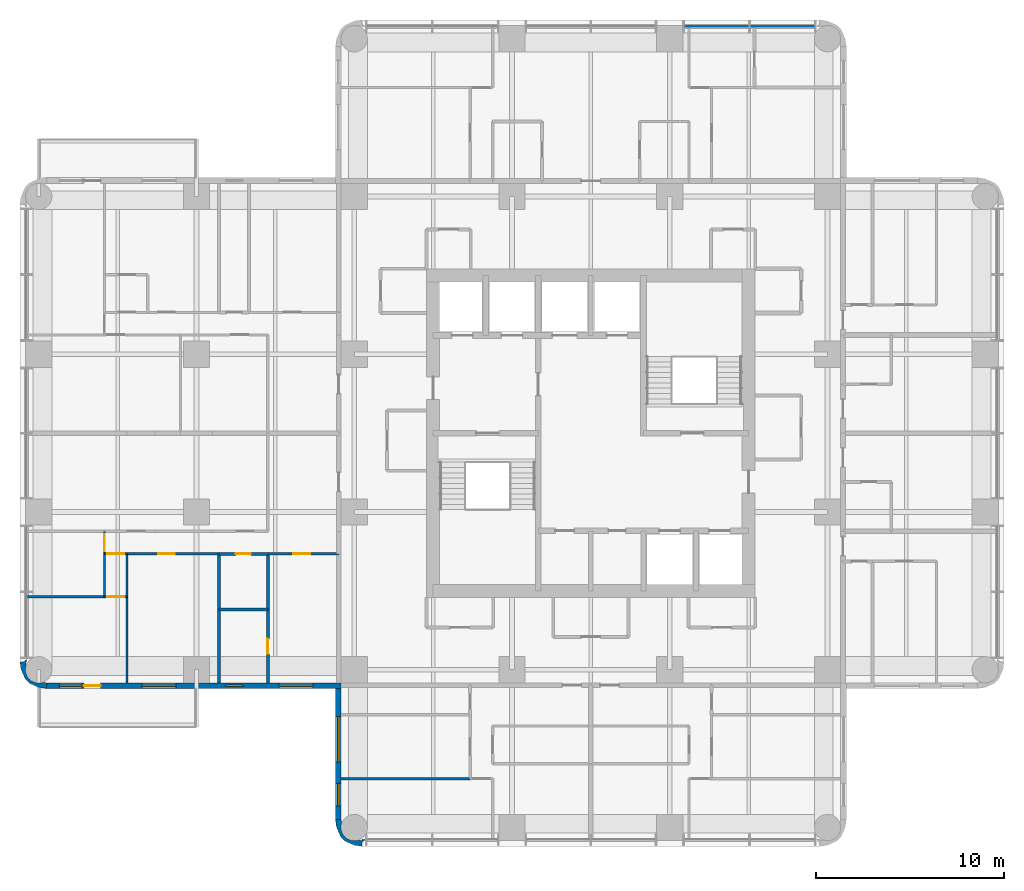
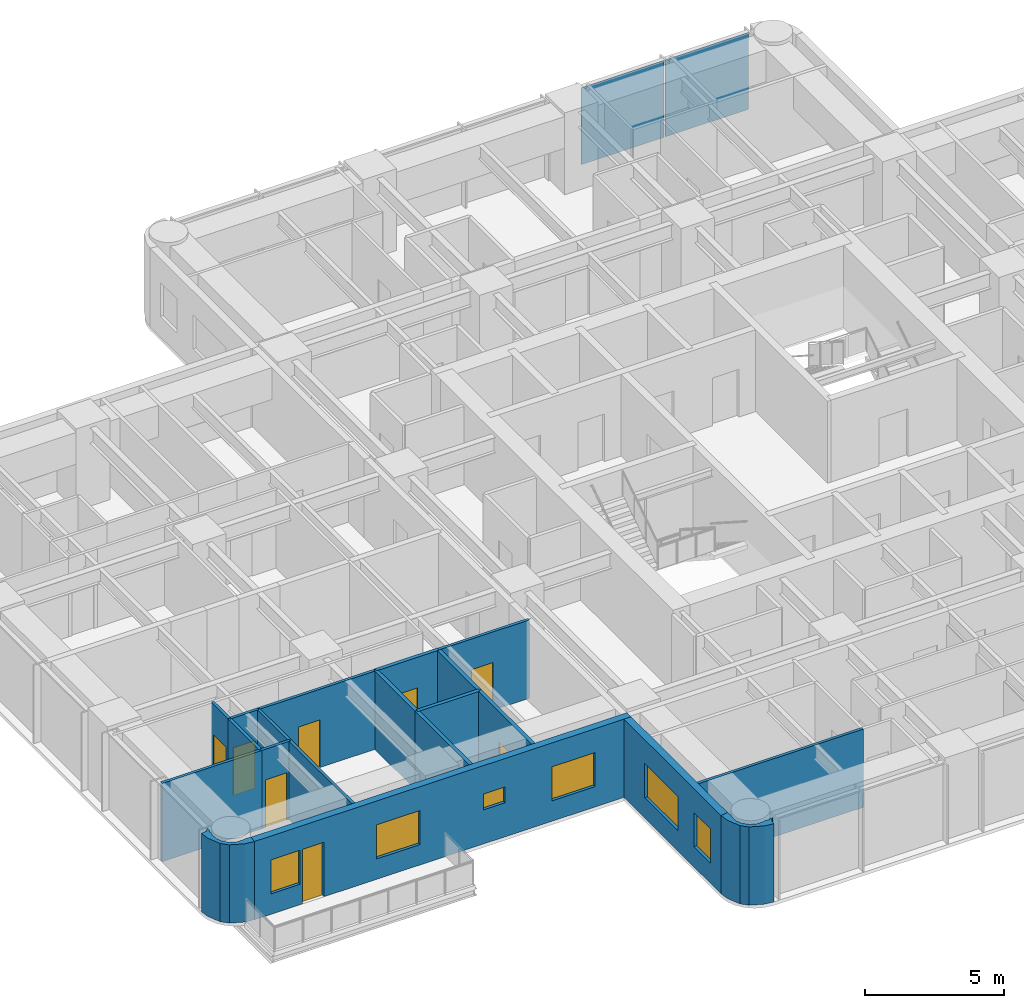
# One storey, part 4 of 11: 20 walls, 8 doors, 6 windows, 2 plates, 14 openings, 1 element without a shape of its own.
"""IFC4 building model written with IfcOpenShell, lengths in metres."""

import ifcopenshell
import ifcopenshell.guid

model = None  # the IFC model being written
_history = None  # IfcOwnerHistory: only IFC2X3 demands one
_inside = {}  # id of a spatial element -> (the spatial element, [elements in it])
_under = {}  # id of a project, library or spatial element -> (it, [spatial elements below it])
_declared = {}  # id of a project -> (the project, [libraries it declares])
_typed = {}  # id of a type object -> (the type object, [elements of that type])
_made_of = {}  # id of a material, layer set ... -> (it, [elements and type objects made of it])


def new_model(schema):
    """Start an empty IFC model of exactly this schema.

    Asked for "IFC4X3", IfcOpenShell would pick the latest addendum, in which some entities
    have other attributes; the version numbers below select the first issue.
    IFC2X3 requires an IfcOwnerHistory on every rooted entity: one is made here for all.
    """
    global model, _history
    if schema == "IFC4X3":
        model = ifcopenshell.file(schema_version=(4, 3, 0, 0))
    else:
        model = ifcopenshell.file(schema=schema)
    _inside.clear()
    _under.clear()
    _declared.clear()
    _typed.clear()
    _made_of.clear()
    _history = None
    if model.schema == "IFC2X3":
        org = make("IfcOrganization", Name="unknown")
        user = make(
            "IfcPersonAndOrganization",
            ThePerson=make("IfcPerson", FamilyName="unknown"),
            TheOrganization=org,
        )
        app = make(
            "IfcApplication",
            ApplicationDeveloper=org,
            Version="unknown",
            ApplicationFullName="unknown",
            ApplicationIdentifier="unknown",
        )
        _history = make(
            "IfcOwnerHistory",
            OwningUser=user,
            OwningApplication=app,
            ChangeAction="ADDED",
            CreationDate=0,
        )
    return model


def make(cls, **values):
    """One entity of the class cls with the attributes given. An attribute that is None is left unset."""
    return model.create_entity(
        cls, **{name: value for name, value in values.items() if value is not None}
    )


def rooted(cls, **values):
    """An entity with a GlobalId (a new one), such as an element, a storey or a relation."""
    return make(cls, GlobalId=ifcopenshell.guid.new(), OwnerHistory=_history, **values)


def si_unit(unit_type, name, prefix=None):
    """IfcSIUnit, for example si_unit("LENGTHUNIT", "METRE", prefix="MILLI")."""
    return make("IfcSIUnit", UnitType=unit_type, Prefix=prefix, Name=name)


def assignment(units):
    """IfcUnitAssignment: the units of a project."""
    return None if units is None else make("IfcUnitAssignment", Units=units)


def point(xyz):
    """IfcCartesianPoint."""
    return None if xyz is None else make("IfcCartesianPoint", Coordinates=xyz)


def direction(xyz):
    """IfcDirection."""
    return None if xyz is None else make("IfcDirection", DirectionRatios=xyz)


def frame(location, z_axis=None, x_axis=None):
    """IfcAxis2Placement3D, a coordinate frame: its origin and axes. An axis left out is left unset."""
    return make(
        "IfcAxis2Placement3D",
        Location=point(location),
        Axis=direction(z_axis),
        RefDirection=direction(x_axis),
    )


def frame_2d(location, x_axis=None):
    """IfcAxis2Placement2D, a coordinate frame in the plane: its origin and x axis."""
    return make(
        "IfcAxis2Placement2D", Location=point(location), RefDirection=direction(x_axis)
    )


def origin():
    """The frame at (0, 0, 0) with its axes left unset."""
    return frame((0.0, 0.0, 0.0))


def origin_2d():
    """The frame at (0, 0) in the plane with its x axis left unset."""
    return frame_2d((0.0, 0.0))


def place(relative_to, where):
    """IfcLocalPlacement: puts the frame where relative to a parent placement (None: the world)."""
    return make(
        "IfcLocalPlacement", PlacementRelTo=relative_to, RelativePlacement=where
    )


def context(
    kind, dimensions, precision=None, world=None, true_north=None, identifier=None
):
    """IfcGeometricRepresentationContext, for example the 3D "Model" context."""
    return make(
        "IfcGeometricRepresentationContext",
        ContextIdentifier=identifier,
        ContextType=kind,
        CoordinateSpaceDimension=dimensions,
        Precision=precision,
        WorldCoordinateSystem=world,
        TrueNorth=true_north,
    )


def subcontext(parent, identifier, kind, view, scale=None):
    """IfcGeometricRepresentationSubContext, for example "Body" below "Model"."""
    return make(
        "IfcGeometricRepresentationSubContext",
        ContextIdentifier=identifier,
        ContextType=kind,
        ParentContext=parent,
        TargetScale=scale,
        TargetView=view,
    )


def project(units=None, contexts=None):
    """IfcProject with its units and contexts."""
    return rooted(
        "IfcProject",
        Name="project",
        RepresentationContexts=contexts,
        UnitsInContext=assignment(units),
    )


def spatial(cls, under=None, at=None, **own):
    """A site, building, storey or space (cls), placed at a placement, below another one or the project."""
    s = rooted(cls, ObjectPlacement=at, **own)
    if under is not None:
        _under.setdefault(under.id(), (under, []))[1].append(s)
    return s


def polyline(points):
    """IfcPolyline through the points."""
    return make("IfcPolyline", Points=[point(p) for p in points])


def profile(cls, at=None, kind="AREA", **sizes):
    """A parametric profile (cls). Its sizes go by their IFC names, for example OverallWidth=200.0."""
    return make(cls, ProfileType=kind, Position=at, **sizes)


def rectangle(**sizes):
    """IfcRectangleProfileDef."""
    return profile("IfcRectangleProfileDef", **sizes)


def outline(outer, holes=None, kind="AREA"):
    """IfcArbitraryClosedProfileDef: a profile drawn as a closed curve; with holes, ...WithVoids."""
    if holes is None:
        return make("IfcArbitraryClosedProfileDef", ProfileType=kind, OuterCurve=outer)
    return make(
        "IfcArbitraryProfileDefWithVoids",
        ProfileType=kind,
        OuterCurve=outer,
        InnerCurves=holes,
    )


def extrude(swept, where, along, depth):
    """IfcExtrudedAreaSolid: the profile swept, set in the frame where, extruded along a direction by depth."""
    return make(
        "IfcExtrudedAreaSolid",
        SweptArea=swept,
        Position=where,
        ExtrudedDirection=direction(along),
        Depth=depth,
    )


def shape(context_of_items, identifier, shape_type, items):
    """IfcShapeRepresentation: the items that make up one representation, for example the "Body"."""
    return make(
        "IfcShapeRepresentation",
        ContextOfItems=context_of_items,
        RepresentationIdentifier=identifier,
        RepresentationType=shape_type,
        Items=items,
    )


def material(Name=None, Category=None):
    """IfcMaterial."""
    return make("IfcMaterial", Name=Name, Category=Category)


def layer(
    of_material, thickness, ventilated=None, Name=None, Category=None, Priority=None
):
    """IfcMaterialLayer: one layer of a wall or slab, of a material (None: an air gap)."""
    return make(
        "IfcMaterialLayer",
        Material=of_material,
        LayerThickness=thickness,
        IsVentilated=ventilated,
        Name=Name,
        Category=Category,
        Priority=Priority,
    )


def layer_set(layers, Name=None):
    """IfcMaterialLayerSet."""
    return make("IfcMaterialLayerSet", MaterialLayers=layers, LayerSetName=Name)


def made_of(thing, what):
    """Note that an element or type object is made of a material, layer set ...; save() writes the relation."""
    if what is not None:
        _made_of.setdefault(what.id(), (what, []))[1].append(thing)
    return thing


def type_object(cls, material=None, **own):
    """A type object (cls), such as IfcWallType, which elements share."""
    return made_of(rooted(cls, **own), material)


def element(
    cls,
    number,
    at=None,
    inside=None,
    cuts=None,
    type_object=None,
    material=None,
    context=None,
    identifier="Body",
    shape_type=None,
    held_by="IfcProductDefinitionShape",
    body=None,
    shapes=None,
    **own,
):
    """One element of the class cls, such as IfcWall. Its Tag is "e" and its number.

    at: its placement. inside: the storey or other place that contains it. cuts: it is an
    opening in that element (IfcRelVoidsElement). A single representation is given by context,
    identifier, shape_type and body (its items); several are given by shapes. held_by: the class
    of the entity that holds the representations. save() writes the other relations.
    """
    e = rooted(cls, Tag="e%d" % number, ObjectPlacement=at, **own)
    if body is not None:
        shapes = [shape(context, identifier, shape_type, body)]
    if shapes is not None:
        e.Representation = make(held_by, Representations=shapes)
    if inside is not None:
        _inside.setdefault(inside.id(), (inside, []))[1].append(e)
    if cuts is not None:
        rooted(
            "IfcRelVoidsElement", RelatingBuildingElement=cuts, RelatedOpeningElement=e
        )
    if type_object is not None:
        _typed.setdefault(type_object.id(), (type_object, []))[1].append(e)
    return made_of(e, material)


def fill(opening, filler):
    """IfcRelFillsElement: the door or window that sits in an opening."""
    return rooted(
        "IfcRelFillsElement",
        RelatingOpeningElement=opening,
        RelatedBuildingElement=filler,
    )


def aggregate(whole, parts):
    """IfcRelAggregates: a whole, such as a stair, and the parts it consists of."""
    return rooted("IfcRelAggregates", RelatingObject=whole, RelatedObjects=parts)


def save(model, path):
    """Write the relations noted so far, then the file.

    IfcRelAggregates (storeys below a building ...), IfcRelContainedInSpatialStructure (elements
    in a storey), IfcRelDefinesByType, IfcRelAssociatesMaterial and IfcRelDeclares: one each for
    every whole, place, type object, material and project.
    """
    for whole, parts in _under.values():
        aggregate(whole, parts)
    for where, things in _inside.values():
        rooted(
            "IfcRelContainedInSpatialStructure",
            RelatedElements=things,
            RelatingStructure=where,
        )
    for kind, things in _typed.values():
        rooted("IfcRelDefinesByType", RelatedObjects=things, RelatingType=kind)
    for what, things in _made_of.values():
        rooted("IfcRelAssociatesMaterial", RelatedObjects=things, RelatingMaterial=what)
    for by, libraries in _declared.values():
        rooted("IfcRelDeclares", RelatingContext=by, RelatedDefinitions=libraries)
    model.write(path)


model = new_model("IFC4")

# Units and contexts
model_context = context("Model", 3, precision=1e-05, world=origin(), true_north=direction((0.0, 1.0)))
body_context = subcontext(model_context, "Body", "Model", "MODEL_VIEW")
ifc_project = project(units=[si_unit("LENGTHUNIT", "METRE"), si_unit("AREAUNIT", "SQUARE_METRE"), si_unit("VOLUMEUNIT", "CUBIC_METRE"), si_unit("PLANEANGLEUNIT", "RADIAN"), si_unit("MASSUNIT", "GRAM", prefix="KILO")], contexts=[model_context])

# Site, building, storey
site_placement = place(None, origin())
site = spatial("IfcSite", under=ifc_project, at=site_placement, CompositionType="ELEMENT")
building_placement = place(site_placement, origin())
building = spatial("IfcBuilding", under=site, at=building_placement, Name="Torre Alcanfor", CompositionType="ELEMENT")
storey_placement = place(building_placement, frame((0.0, 0.0, 230.10009765625)))
storey = spatial("IfcBuildingStorey", under=building, at=storey_placement, Name="L60", CompositionType="ELEMENT", Elevation=230.10009765625)

# Curtain wall, plates
ifc_material_1 = material(Name="Aluminium and glass", Category="aluminium")
curtain_wall_type = type_object("IfcCurtainWallType", Name="CW-A unitised apartment glazing with vertical FIN", PredefinedType="NOTDEFINED", material=ifc_material_1)
curtain_wall_placement = place(storey_placement, origin())
curtain_wall = element("IfcCurtainWall", 1, at=curtain_wall_placement, inside=storey, type_object=curtain_wall_type, Name="Curtain wall CW-A L60 11", PredefinedType="NOTDEFINED")
ifc_material_2 = material(Name="Glass", Category="glass")
ifc_layer_1 = layer(ifc_material_2, 0.028076171875)
ifc_layer_set_1 = layer_set([ifc_layer_1], Name="CW-A clear double glazed unit")
plate_type = type_object("IfcPlateType", Name="CW-A clear double glazed unit", PredefinedType="CURTAIN_PANEL", material=ifc_layer_set_1)
plate_1_placement = place(storey_placement, frame((39.60107421875, 51.050048828125, 0.0), z_axis=(0.0, 0.0, 1.0), x_axis=(-1.0, 0.0, 0.0)))
plate_1 = element("IfcPlate", 2, at=plate_1_placement, type_object=plate_type, Name="CW-A panel 1.1.1", PredefinedType="CURTAIN_PANEL", context=body_context, shape_type="SweptSolid", body=[
    extrude(rectangle(XDim=3.444091796875, YDim=0.028076171875, at=origin_2d()), origin(), (0.0, 0.0, 1.0), 3.385009765625),
])
plate_2_placement = place(storey_placement, frame((36.092041015625, 51.050048828125, 0.0), z_axis=(0.0, 0.0, 1.0), x_axis=(-1.0, 0.0, 0.0)))
plate_2 = element("IfcPlate", 3, at=plate_2_placement, type_object=plate_type, Name="CW-A panel 1.2.1", PredefinedType="CURTAIN_PANEL", context=body_context, shape_type="SweptSolid", body=[
    extrude(rectangle(XDim=3.444091796875, YDim=0.028076171875, at=origin_2d()), origin(), (0.0, 0.0, 1.0), 3.385009765625),
])
aggregate(curtain_wall, [plate_1, plate_2])

# Wall
ifc_material_3 = material(Name="Gypsum board on steel studs", Category="steel")
ifc_layer_2 = layer(ifc_material_3, 0.1201171875)
ifc_layer_set_2 = layer_set([ifc_layer_2], Name="Apartment partition 120")
wall_type_1 = type_object("IfcWallType", Name="Apartment partition 120", PredefinedType="PARTITIONING", material=ifc_layer_set_2)
wall_1_placement = place(storey_placement, frame((22.970947265625, 11.0, 0.0), z_axis=(0.0, 0.0, 1.0), x_axis=(-1.0, 0.0, 0.0)))
element("IfcWall", 4, at=wall_1_placement, inside=storey, type_object=wall_type_1, Name="Partition L60-S2-STUDY / L60-S2-MASTER", PredefinedType="PARTITIONING", context=body_context, shape_type="SweptSolid", body=[
    extrude(rectangle(XDim=6.870849609375, YDim=0.1201171875, at=frame_2d((3.435546875, 0.0))), origin(), (0.0, 0.0, 1.0), 3.449951171875),
])

# Wall, opening, door
wall_2_placement = place(storey_placement, frame((12.199951171875, 22.970947265625, 0.0), z_axis=(0.0, 0.0, 1.0), x_axis=(1.0, 0.0, 0.0)))
wall_2 = element("IfcWall", 5, at=wall_2_placement, inside=storey, type_object=wall_type_1, Name="Partition L60-W1-HALL / L60-W1-SERV", PredefinedType="PARTITIONING", context=body_context, shape_type="SweptSolid", body=[
    extrude(rectangle(XDim=3.775146484375, YDim=0.1201171875, at=frame_2d((1.8876953125, 0.0))), origin(), (0.0, 0.0, 1.0), 3.449951171875),
])
opening_1_placement = place(wall_2_placement, frame((1.35009765625, 0.0, 0.0)))
opening_1 = element("IfcOpeningElement", 6, at=opening_1_placement, cuts=wall_2, Name="Opening D-R1", PredefinedType="OPENING", context=body_context, shape_type="SweptSolid", body=[
    extrude(rectangle(XDim=0.89990234375, YDim=2.10009765625, at=frame_2d((0.449951171875, 1.050048828125))), frame((0.0, 0.070068359375, 0.0), z_axis=(0.0, -1.0, 0.0), x_axis=(1.0, 0.0, 0.0)), (0.0, 0.0, 1.0), 0.14013671875),
])
ifc_material_4 = material(Name="Timber", Category="wood")
door_type_1 = type_object("IfcDoorType", Name="Internal door 900x2100", OperationType="SINGLE_SWING_LEFT", PredefinedType="DOOR", material=ifc_material_4)
door_1_placement = place(opening_1_placement, frame((0.89990234375, 0.0, 0.0), z_axis=(0.0, 0.0, 1.0), x_axis=(-1.0, 0.0, 0.0)))
door_1 = element("IfcDoor", 7, at=door_1_placement, inside=storey, type_object=door_type_1, Name="Door L60-W1 serv", OperationType="SINGLE_SWING_RIGHT", OverallHeight=2.10009765625, OverallWidth=0.89990234375, PredefinedType="DOOR", context=body_context, shape_type="SweptSolid", body=[
    extrude(rectangle(XDim=0.89990234375, YDim=2.10009765625, at=frame_2d((0.449951171875, 1.050048828125))), frame((0.0, 0.025146484375, 0.0), z_axis=(0.0, -1.0, 0.0), x_axis=(1.0, 0.0, 0.0)), (0.0, 0.0, 1.0), 0.050048828125),
])
fill(opening_1, door_1)

wall_3_placement = place(storey_placement, frame((4.699951171875, 22.970947265625, 0.0), z_axis=(0.0, 0.0, 1.0), x_axis=(1.0, 0.0, 0.0)))
wall_3 = element("IfcWall", 8, at=wall_3_placement, inside=storey, type_object=wall_type_1, Name="Partition L60-W1-HALL / L60-W1-BED3", PredefinedType="PARTITIONING", context=body_context, shape_type="SweptSolid", body=[
    extrude(rectangle(XDim=4.900146484375, YDim=0.1201171875, at=frame_2d((2.4501953125, 0.0))), origin(), (0.0, 0.0, 1.0), 3.449951171875),
])
opening_2_placement = place(wall_3_placement, frame((1.64990234375, 0.0, 0.0)))
opening_2 = element("IfcOpeningElement", 9, at=opening_2_placement, cuts=wall_3, Name="Opening D-R1", PredefinedType="OPENING", context=body_context, shape_type="SweptSolid", body=[
    extrude(rectangle(XDim=0.89990234375, YDim=2.10009765625, at=frame_2d((0.449951171875, 1.050048828125))), frame((0.0, 0.070068359375, 0.0), z_axis=(0.0, -1.0, 0.0), x_axis=(1.0, 0.0, 0.0)), (0.0, 0.0, 1.0), 0.14013671875),
])
door_2_placement = place(opening_2_placement, frame((0.89990234375, 0.0, 0.0), z_axis=(0.0, 0.0, 1.0), x_axis=(-1.0, 0.0, 0.0)))
door_2 = element("IfcDoor", 10, at=door_2_placement, inside=storey, type_object=door_type_1, Name="Door L60-W1 bed3", OperationType="SINGLE_SWING_RIGHT", OverallHeight=2.10009765625, OverallWidth=0.89990234375, PredefinedType="DOOR", context=body_context, shape_type="SweptSolid", body=[
    extrude(rectangle(XDim=0.89990234375, YDim=2.10009765625, at=frame_2d((0.449951171875, 1.050048828125))), frame((0.0, 0.025146484375, 0.0), z_axis=(0.0, -1.0, 0.0), x_axis=(1.0, 0.0, 0.0)), (0.0, 0.0, 1.0), 0.050048828125),
])
fill(opening_2, door_2)

wall_4_placement = place(storey_placement, frame((3.5, 22.970947265625, 0.0), z_axis=(0.0, 0.0, 1.0), x_axis=(1.0, 0.0, 0.0)))
wall_4 = element("IfcWall", 11, at=wall_4_placement, inside=storey, type_object=wall_type_1, Name="Partition L60-W1-HALL / L60-W1-VEST", PredefinedType="PARTITIONING", context=body_context, shape_type="SweptSolid", body=[
    extrude(rectangle(XDim=1.199951171875, YDim=0.1201171875, at=frame_2d((0.60009765625, 0.0))), origin(), (0.0, 0.0, 1.0), 3.449951171875),
])
opening_3_placement = place(wall_4_placement, frame((0.14990234375, 0.0, 0.0)))
opening_3 = element("IfcOpeningElement", 12, at=opening_3_placement, cuts=wall_4, Name="Opening D-R1", PredefinedType="OPENING", context=body_context, shape_type="SweptSolid", body=[
    extrude(rectangle(XDim=0.89990234375, YDim=2.10009765625, at=frame_2d((0.449951171875, 1.050048828125))), frame((0.0, 0.070068359375, 0.0), z_axis=(0.0, -1.0, 0.0), x_axis=(1.0, 0.0, 0.0)), (0.0, 0.0, 1.0), 0.14013671875),
])
door_3_placement = place(opening_3_placement, frame((0.89990234375, 0.0, 0.0), z_axis=(0.0, 0.0, 1.0), x_axis=(-1.0, 0.0, 0.0)))
door_3 = element("IfcDoor", 13, at=door_3_placement, inside=storey, type_object=door_type_1, Name="Door L60-W1 vest", OperationType="SINGLE_SWING_RIGHT", OverallHeight=2.10009765625, OverallWidth=0.89990234375, PredefinedType="DOOR", context=body_context, shape_type="SweptSolid", body=[
    extrude(rectangle(XDim=0.89990234375, YDim=2.10009765625, at=frame_2d((0.449951171875, 1.050048828125))), frame((0.0, 0.025146484375, 0.0), z_axis=(0.0, -1.0, 0.0), x_axis=(1.0, 0.0, 0.0)), (0.0, 0.0, 1.0), 0.050048828125),
])
fill(opening_3, door_3)

wall_5_placement = place(storey_placement, frame((3.5, 24.1708984375, 0.0), z_axis=(0.0, 0.0, 1.0), x_axis=(0.0, -1.0, 0.0)))
wall_5 = element("IfcWall", 14, at=wall_5_placement, inside=storey, type_object=wall_type_1, Name="Partition L60-W1-HALL / L60-W1-BED2", PredefinedType="PARTITIONING", context=body_context, shape_type="SweptSolid", body=[
    extrude(rectangle(XDim=1.199951171875, YDim=0.1201171875, at=frame_2d((0.60009765625, 0.0))), origin(), (0.0, 0.0, 1.0), 3.449951171875),
])
opening_4_placement = place(wall_5_placement, frame((0.15087890625, 0.0, 0.0)))
opening_4 = element("IfcOpeningElement", 15, at=opening_4_placement, cuts=wall_5, Name="Opening D-R1", PredefinedType="OPENING", context=body_context, shape_type="SweptSolid", body=[
    extrude(rectangle(XDim=0.89990234375, YDim=2.10009765625, at=frame_2d((0.449951171875, 1.050048828125))), frame((0.0, 0.070068359375, 0.0), z_axis=(0.0, -1.0, 0.0), x_axis=(1.0, 0.0, 0.0)), (0.0, 0.0, 1.0), 0.14013671875),
])
door_4_placement = place(opening_4_placement, frame((0.89990234375, 0.0, 0.0), z_axis=(0.0, 0.0, 1.0), x_axis=(-1.0, 0.0, 0.0)))
door_4 = element("IfcDoor", 16, at=door_4_placement, inside=storey, type_object=door_type_1, Name="Door L60-W1 bed2", OperationType="SINGLE_SWING_RIGHT", OverallHeight=2.10009765625, OverallWidth=0.89990234375, PredefinedType="DOOR", context=body_context, shape_type="SweptSolid", body=[
    extrude(rectangle(XDim=0.89990234375, YDim=2.10009765625, at=frame_2d((0.449951171875, 1.050048828125))), frame((0.0, 0.025146484375, 0.0), z_axis=(0.0, -1.0, 0.0), x_axis=(1.0, 0.0, 0.0)), (0.0, 0.0, 1.0), 0.050048828125),
])
fill(opening_4, door_4)

# Walls
wall_6_placement = place(storey_placement, frame((4.699951171875, 22.970947265625, 0.0), z_axis=(0.0, 0.0, 1.0), x_axis=(0.0, -1.0, 0.0)))
element("IfcWall", 17, at=wall_6_placement, inside=storey, type_object=wall_type_1, Name="Partition L60-W1-BED3 / L60-W1-VEST", PredefinedType="PARTITIONING", context=body_context, shape_type="SweptSolid", body=[
    extrude(rectangle(XDim=2.284912109375, YDim=0.1201171875, at=frame_2d((1.142578125, 0.0))), origin(), (0.0, 0.0, 1.0), 3.449951171875),
])
wall_7_placement = place(storey_placement, frame((4.699951171875, 20.68603515625, 0.0), z_axis=(0.0, 0.0, 1.0), x_axis=(0.0, -1.0, 0.0)))
element("IfcWall", 18, at=wall_7_placement, inside=storey, type_object=wall_type_1, Name="Partition L60-W1-BED3 / L60-W1-MASTER", PredefinedType="PARTITIONING", context=body_context, shape_type="SweptSolid", body=[
    extrude(rectangle(XDim=4.5859375, YDim=0.1201171875, at=frame_2d((2.29296875, 0.0))), origin(), (0.0, 0.0, 1.0), 3.449951171875),
])
wall_8_placement = place(storey_placement, frame((3.5, 22.970947265625, 0.0), z_axis=(0.0, 0.0, 1.0), x_axis=(0.0, -1.0, 0.0)))
element("IfcWall", 19, at=wall_8_placement, inside=storey, type_object=wall_type_1, Name="Partition L60-W1-VEST / L60-W1-BED2", PredefinedType="PARTITIONING", context=body_context, shape_type="SweptSolid", body=[
    extrude(rectangle(XDim=2.284912109375, YDim=0.1201171875, at=frame_2d((1.142578125, 0.0))), origin(), (0.0, 0.0, 1.0), 3.449951171875),
])

# Wall, opening, door
wall_9_placement = place(storey_placement, frame((3.5, 20.68603515625, 0.0), z_axis=(0.0, 0.0, 1.0), x_axis=(1.0, 0.0, 0.0)))
wall_9 = element("IfcWall", 20, at=wall_9_placement, inside=storey, type_object=wall_type_1, Name="Partition L60-W1-VEST / L60-W1-MASTER", PredefinedType="PARTITIONING", context=body_context, shape_type="SweptSolid", body=[
    extrude(rectangle(XDim=1.199951171875, YDim=0.1201171875, at=frame_2d((0.60009765625, 0.0))), origin(), (0.0, 0.0, 1.0), 3.449951171875),
])
opening_5_placement = place(wall_9_placement, frame((0.14990234375, 0.0, 0.0)))
opening_5 = element("IfcOpeningElement", 21, at=opening_5_placement, cuts=wall_9, Name="Opening D-R1", PredefinedType="OPENING", context=body_context, shape_type="SweptSolid", body=[
    extrude(rectangle(XDim=0.89990234375, YDim=2.10009765625, at=frame_2d((0.449951171875, 1.050048828125))), frame((0.0, 0.070068359375, 0.0), z_axis=(0.0, -1.0, 0.0), x_axis=(1.0, 0.0, 0.0)), (0.0, 0.0, 1.0), 0.14013671875),
])
door_5_placement = place(opening_5_placement, origin())
door_5 = element("IfcDoor", 22, at=door_5_placement, inside=storey, type_object=door_type_1, Name="Door L60-W1 master", OperationType="SINGLE_SWING_LEFT", OverallHeight=2.10009765625, OverallWidth=0.89990234375, PredefinedType="DOOR", context=body_context, shape_type="SweptSolid", body=[
    extrude(rectangle(XDim=0.89990234375, YDim=2.10009765625, at=frame_2d((0.449951171875, 1.050048828125))), frame((0.0, 0.02490234375, 0.0), z_axis=(0.0, -1.0, 0.0), x_axis=(1.0, 0.0, 0.0)), (0.0, 0.0, 1.0), 0.050048828125),
])
fill(opening_5, door_5)

# Wall
wall_10_placement = place(storey_placement, frame((-0.64990234375, 20.68603515625, 0.0), z_axis=(0.0, 0.0, 1.0), x_axis=(1.0, 0.0, 0.0)))
element("IfcWall", 23, at=wall_10_placement, inside=storey, type_object=wall_type_1, Name="Partition L60-W1-BED2 / L60-W1-MASTER", PredefinedType="PARTITIONING", context=body_context, shape_type="SweptSolid", body=[
    extrude(rectangle(XDim=4.14990234375, YDim=0.1201171875, at=frame_2d((2.074951171875, 0.0))), origin(), (0.0, 0.0, 1.0), 3.449951171875),
])

# Wall, openings, door, windows
ifc_material_5 = material(Name="Limestone cladding", Category="masonry")
ifc_layer_3 = layer(ifc_material_5, 0.0400390625, Name="Facing")
ifc_material_6 = material(Name="Ventilated air cavity")
ifc_layer_4 = layer(ifc_material_6, 0.02001953125, ventilated=True, Name="Ventilated joint")
ifc_material_7 = material(Name="Mineral wool insulation", Category="insulation")
ifc_layer_5 = layer(ifc_material_7, 0.10009765625, Name="Insulation")
ifc_material_8 = material(Name="Concrete f'c 35 MPa", Category="concrete")
ifc_layer_6 = layer(ifc_material_8, 0.139892578125, Name="Backing")
ifc_layer_set_3 = layer_set([ifc_layer_3, ifc_layer_4, ifc_layer_5, ifc_layer_6], Name="External wall stone-clad 300")
wall_type_2 = type_object("IfcWallType", Name="External wall stone-clad 300", PredefinedType="SOLIDWALL", material=ifc_layer_set_3)
wall_11_placement = place(storey_placement, frame((0.39990234375, 15.949951171875, 0.0), z_axis=(0.0, 0.0, 1.0), x_axis=(1.0, 0.0, 0.0)))
wall_11 = element("IfcWall", 24, at=wall_11_placement, inside=storey, type_object=wall_type_2, Name="External wall L60 3", PredefinedType="SOLIDWALL", context=body_context, shape_type="SweptSolid", body=[
    extrude(rectangle(XDim=15.7001953125, YDim=0.300048828125, at=frame_2d((7.85009765625, 0.0))), origin(), (0.0, 0.0, 1.0), 3.449951171875),
])
opening_6_placement = place(wall_11_placement, frame((12.39990234375, 0.0, 0.89990234375)))
opening_6 = element("IfcOpeningElement", 25, at=opening_6_placement, cuts=wall_11, Name="Opening W2", PredefinedType="OPENING", context=body_context, shape_type="SweptSolid", body=[
    extrude(rectangle(XDim=1.800048828125, YDim=1.5, at=frame_2d((0.89990234375, 0.75))), frame((0.0, 0.159912109375, 0.0), z_axis=(0.0, -1.0, 0.0), x_axis=(1.0, 0.0, 0.0)), (0.0, 0.0, 1.0), 0.320068359375),
])
opening_7_placement = place(wall_11_placement, frame((9.550048828125, 0.0, 1.5)))
opening_7 = element("IfcOpeningElement", 26, at=opening_7_placement, cuts=wall_11, Name="Opening W3", PredefinedType="OPENING", context=body_context, shape_type="SweptSolid", body=[
    extrude(rectangle(XDim=0.89990234375, YDim=0.699951171875, at=frame_2d((0.449951171875, 0.35009765625))), frame((0.0, 0.159912109375, 0.0), z_axis=(0.0, -1.0, 0.0), x_axis=(1.0, 0.0, 0.0)), (0.0, 0.0, 1.0), 0.320068359375),
])
opening_8_placement = place(wall_11_placement, frame((5.10009765625, 0.0, 0.89990234375)))
opening_8 = element("IfcOpeningElement", 27, at=opening_8_placement, cuts=wall_11, Name="Opening W2", PredefinedType="OPENING", context=body_context, shape_type="SweptSolid", body=[
    extrude(rectangle(XDim=1.800048828125, YDim=1.5, at=frame_2d((0.89990234375, 0.75))), frame((0.0, 0.159912109375, 0.0), z_axis=(0.0, -1.0, 0.0), x_axis=(1.0, 0.0, 0.0)), (0.0, 0.0, 1.0), 0.320068359375),
])
opening_9_placement = place(wall_11_placement, frame((2.0, 0.0, 0.0)))
opening_9 = element("IfcOpeningElement", 28, at=opening_9_placement, cuts=wall_11, Name="Opening D-B1", PredefinedType="OPENING", context=body_context, shape_type="SweptSolid", body=[
    extrude(rectangle(XDim=0.89990234375, YDim=2.39990234375, at=frame_2d((0.449951171875, 1.199951171875))), frame((0.0, 0.159912109375, 0.0), z_axis=(0.0, -1.0, 0.0), x_axis=(1.0, 0.0, 0.0)), (0.0, 0.0, 1.0), 0.320068359375),
])
opening_10_placement = place(wall_11_placement, frame((0.699951171875, 0.0, 0.89990234375)))
opening_10 = element("IfcOpeningElement", 29, at=opening_10_placement, cuts=wall_11, Name="Opening W4", PredefinedType="OPENING", context=body_context, shape_type="SweptSolid", body=[
    extrude(rectangle(XDim=1.199951171875, YDim=1.5, at=frame_2d((0.60009765625, 0.75))), frame((0.0, 0.159912109375, 0.0), z_axis=(0.0, -1.0, 0.0), x_axis=(1.0, 0.0, 0.0)), (0.0, 0.0, 1.0), 0.320068359375),
])
ifc_material_9 = material(Name="Aluminium and glass", Category="aluminium")
door_type_2 = type_object("IfcDoorType", Name="Balcony door glazed 900x2400", OperationType="SINGLE_SWING_LEFT", PredefinedType="DOOR", material=ifc_material_9)
door_6_placement = place(opening_9_placement, origin())
door_6 = element("IfcDoor", 30, at=door_6_placement, inside=storey, type_object=door_type_2, Name="Balcony door L60-W1", OperationType="SINGLE_SWING_RIGHT", OverallHeight=2.39990234375, OverallWidth=0.89990234375, PredefinedType="DOOR", context=body_context, shape_type="SweptSolid", body=[
    extrude(rectangle(XDim=0.89990234375, YDim=2.39990234375, at=frame_2d((0.449951171875, 1.199951171875))), frame((0.0, 0.02490234375, 0.0), z_axis=(0.0, -1.0, 0.0), x_axis=(1.0, 0.0, 0.0)), (0.0, 0.0, 1.0), 0.050048828125),
])
fill(opening_9, door_6)
ifc_material_10 = material(Name="Aluminium frame with clear double glazing", Category="aluminium")
window_type_1 = type_object("IfcWindowType", Name="Window bathroom 900x700", PartitioningType="SINGLE_PANEL", PredefinedType="WINDOW", material=ifc_material_10)
window_1_placement = place(opening_7_placement, origin())
window_1 = element("IfcWindow", 31, at=window_1_placement, inside=storey, type_object=window_type_1, Name="Window W3 L60-W1", OverallHeight=0.699951171875, OverallWidth=0.89990234375, PartitioningType="SINGLE_PANEL", PredefinedType="WINDOW", context=body_context, shape_type="SweptSolid", body=[
    extrude(rectangle(XDim=0.89990234375, YDim=0.699951171875, at=frame_2d((0.449951171875, 0.35009765625))), frame((0.0, 0.030029296875, 0.0), z_axis=(0.0, -1.0, 0.0), x_axis=(1.0, 0.0, 0.0)), (0.0, 0.0, 1.0), 0.06005859375),
])
fill(opening_7, window_1)
ifc_material_11 = material(Name="Aluminium frame with clear double glazing", Category="aluminium")
window_type_2 = type_object("IfcWindowType", Name="Window bedroom 1200x1500", PartitioningType="SINGLE_PANEL", PredefinedType="WINDOW", material=ifc_material_11)
window_2_placement = place(opening_10_placement, origin())
window_2 = element("IfcWindow", 32, at=window_2_placement, inside=storey, type_object=window_type_2, Name="Window W4 L60-W1", OverallHeight=1.5, OverallWidth=1.199951171875, PartitioningType="SINGLE_PANEL", PredefinedType="WINDOW", context=body_context, shape_type="SweptSolid", body=[
    extrude(rectangle(XDim=1.199951171875, YDim=1.5, at=frame_2d((0.60009765625, 0.75))), frame((0.0, 0.030029296875, 0.0), z_axis=(0.0, -1.0, 0.0), x_axis=(1.0, 0.0, 0.0)), (0.0, 0.0, 1.0), 0.06005859375),
])
fill(opening_10, window_2)
ifc_material_12 = material(Name="Aluminium frame with clear double glazing", Category="aluminium")
window_type_3 = type_object("IfcWindowType", Name="Window bedroom 1800x1500", PartitioningType="SINGLE_PANEL", PredefinedType="WINDOW", material=ifc_material_12)
window_3_placement = place(opening_6_placement, origin())
window_3 = element("IfcWindow", 33, at=window_3_placement, inside=storey, type_object=window_type_3, Name="Window W2 L60-W1", OverallHeight=1.5, OverallWidth=1.800048828125, PartitioningType="SINGLE_PANEL", PredefinedType="WINDOW", context=body_context, shape_type="SweptSolid", body=[
    extrude(rectangle(XDim=1.800048828125, YDim=1.5, at=frame_2d((0.89990234375, 0.75))), frame((0.0, 0.030029296875, 0.0), z_axis=(0.0, -1.0, 0.0), x_axis=(1.0, 0.0, 0.0)), (0.0, 0.0, 1.0), 0.06005859375),
])
fill(opening_6, window_3)
window_4_placement = place(opening_8_placement, origin())
window_4 = element("IfcWindow", 34, at=window_4_placement, inside=storey, type_object=window_type_3, Name="Window W2 L60-W1", OverallHeight=1.5, OverallWidth=1.800048828125, PartitioningType="SINGLE_PANEL", PredefinedType="WINDOW", context=body_context, shape_type="SweptSolid", body=[
    extrude(rectangle(XDim=1.800048828125, YDim=1.5, at=frame_2d((0.89990234375, 0.75))), frame((0.0, 0.030029296875, 0.0), z_axis=(0.0, -1.0, 0.0), x_axis=(1.0, 0.0, 0.0)), (0.0, 0.0, 1.0), 0.06005859375),
])
fill(opening_8, window_4)

# Wall, openings, windows
wall_12_placement = place(storey_placement, frame((15.949951171875, 15.800048828125, 0.0), z_axis=(0.0, 0.0, 1.0), x_axis=(0.0, -1.0, 0.0)))
wall_12 = element("IfcWall", 35, at=wall_12_placement, inside=storey, type_object=wall_type_2, Name="External wall L60 4", PredefinedType="SOLIDWALL", context=body_context, shape_type="SweptSolid", body=[
    extrude(rectangle(XDim=7.0, YDim=0.300048828125, at=frame_2d((3.5, 0.0))), origin(), (0.0, 0.0, 1.0), 3.449951171875),
])
opening_11_placement = place(wall_12_placement, frame((1.5, 0.0, 0.89990234375)))
opening_11 = element("IfcOpeningElement", 36, at=opening_11_placement, cuts=wall_12, Name="Opening W1", PredefinedType="OPENING", context=body_context, shape_type="SweptSolid", body=[
    extrude(rectangle(XDim=2.39990234375, YDim=1.5, at=frame_2d((1.199951171875, 0.75))), frame((0.0, 0.159912109375, 0.0), z_axis=(0.0, -1.0, 0.0), x_axis=(1.0, 0.0, 0.0)), (0.0, 0.0, 1.0), 0.320068359375),
])
opening_12_placement = place(wall_12_placement, frame((5.050048828125, 0.0, 0.89990234375)))
opening_12 = element("IfcOpeningElement", 37, at=opening_12_placement, cuts=wall_12, Name="Opening W4", PredefinedType="OPENING", context=body_context, shape_type="SweptSolid", body=[
    extrude(rectangle(XDim=1.199951171875, YDim=1.5, at=frame_2d((0.60009765625, 0.75))), frame((0.0, 0.159912109375, 0.0), z_axis=(0.0, -1.0, 0.0), x_axis=(1.0, 0.0, 0.0)), (0.0, 0.0, 1.0), 0.320068359375),
])
window_5_placement = place(opening_12_placement, origin())
window_5 = element("IfcWindow", 38, at=window_5_placement, inside=storey, type_object=window_type_2, Name="Window W4 L60-S2", OverallHeight=1.5, OverallWidth=1.199951171875, PartitioningType="SINGLE_PANEL", PredefinedType="WINDOW", context=body_context, shape_type="SweptSolid", body=[
    extrude(rectangle(XDim=1.199951171875, YDim=1.5, at=frame_2d((0.60009765625, 0.75))), frame((0.0, 0.030029296875, 0.0), z_axis=(0.0, -1.0, 0.0), x_axis=(1.0, 0.0, 0.0)), (0.0, 0.0, 1.0), 0.06005859375),
])
fill(opening_12, window_5)
ifc_material_13 = material(Name="Aluminium frame with clear double glazing", Category="aluminium")
window_type_4 = type_object("IfcWindowType", Name="Window bedroom 2400x1500", PartitioningType="SINGLE_PANEL", PredefinedType="WINDOW", material=ifc_material_13)
window_6_placement = place(opening_11_placement, origin())
window_6 = element("IfcWindow", 39, at=window_6_placement, inside=storey, type_object=window_type_4, Name="Window W1 L60-S2", OverallHeight=1.5, OverallWidth=2.39990234375, PartitioningType="SINGLE_PANEL", PredefinedType="WINDOW", context=body_context, shape_type="SweptSolid", body=[
    extrude(rectangle(XDim=2.39990234375, YDim=1.5, at=frame_2d((1.199951171875, 0.75))), frame((0.0, 0.030029296875, 0.0), z_axis=(0.0, -1.0, 0.0), x_axis=(1.0, 0.0, 0.0)), (0.0, 0.0, 1.0), 0.06005859375),
])
fill(opening_11, window_6)

# Walls
ifc_layer_7 = layer(ifc_material_5, 0.0400390625, Name="Facing")
ifc_layer_8 = layer(ifc_material_6, 0.02001953125, ventilated=True, Name="Ventilated joint")
ifc_layer_9 = layer(ifc_material_7, 0.10009765625, Name="Insulation")
ifc_layer_10 = layer(ifc_material_8, 0.139892578125, Name="Backing")
ifc_layer_set_4 = layer_set([ifc_layer_7, ifc_layer_8, ifc_layer_9, ifc_layer_10], Name="Rounded corner pier stone-clad 300")
wall_type_3 = type_object("IfcWallType", Name="Rounded corner pier stone-clad 300", PredefinedType="SOLIDWALL", material=ifc_layer_set_4)
wall_13_placement = place(storey_placement, frame((-0.58815184, 17.312325495, 0.0), z_axis=(0.0, 0.0, 1.0), x_axis=(-0.898030234854, -0.439933741929, 0.0)))
element("IfcWall", 40, at=wall_13_placement, inside=storey, type_object=wall_type_3, Name="Corner pier L60 14", PredefinedType="SOLIDWALL", context=body_context, shape_type="SweptSolid", body=[
    extrude(outline(polyline([(-0.22200099779214466, 1.7927485446039917), (-0.3895203988851006, 1.5406953482066268), (-0.3717615001977944, 1.5319954866108696), (-0.1946893371505769, 1.4145296087243977), (-0.1196378565013686, 1.4095707271395082), (0.13074069042336733, 1.2869134192092004), (0.31532782000916126, 1.0776826467218847), (0.4055826710323692, 0.8140749979758074), (0.38797260783771476, 0.5356152877148042), (0.26531529990740693, 0.28523674079006817), (0.2089410932617622, 0.23564484500123395), (0.1476439801012907, 0.052805298357783616), (0.1048910758540722, 0.07374940960682917), (0.03174779503048235, -0.07555688676422617), (0.13758283616273645, -0.03932073839803114), (0.18192415361672865, -0.0004176855725517292), (0.4192893563182328, -0.08027036234769044), (0.5359265089611867, 0.2660343125058281), (0.55884082549336, 0.63079452952945), (0.5546362328412097, 0.6510690852705474), (0.5662389797265355, 0.8356887018617073), (0.45562482097298596, 1.1592927954286232), (0.3331931039366845, 1.297838781078767), (0.32408874086174466, 1.3164357373584665), (0.08241545456328281, 1.5906055834666009), (-0.22200099779214466, 1.7927485446039917)])), origin(), (0.0, 0.0, 1.0), 3.449951171875),
])
wall_14_placement = place(storey_placement, frame((16.075788181, 8.689684728, 0.0), z_axis=(0.0, 0.0, 1.0), x_axis=(-0.439933741929, -0.898030234854, 0.0)))
element("IfcWall", 41, at=wall_14_placement, inside=storey, type_object=wall_type_3, Name="Corner pier L60 15", PredefinedType="SOLIDWALL", context=body_context, shape_type="SweptSolid", body=[
    extrude(outline(polyline([(0.6637063463257242, 1.5769511452868783), (0.42612189796141386, 1.4969910628130267), (0.381999826170228, 1.536001521337219), (0.2761647850379738, 1.5722376697034142), (0.3493080658615637, 1.4229313733323588), (0.391841724445976, 1.4437680788826912), (0.45335808326925375, 1.261035937937954), (0.5097322899148984, 1.2114440421491197), (0.6323895978452062, 0.9610654952243838), (0.6499996610398608, 0.6826057849633805), (0.5595255643538466, 0.4188907305185901), (0.37515768043085884, 0.20976736372998736), (0.1247791335061229, 0.08711005579967954), (0.04972765285691469, 0.0821511742147902), (-0.1273445101903028, -0.035314703671681595), (-0.14532265454041515, -0.04412197096615204), (0.02219674655254064, -0.2961751673635169), (0.3266131989079681, -0.09403220622612604), (0.56828648520643, 0.18013763988200826), (0.5776100939441761, 0.19884200186042086), (0.6998225653176713, 0.33728058181185155), (0.810655969734027, 0.6609920810774806), (0.7990532228487013, 0.8456116976686404), (0.8030385698380452, 0.8657788477110249), (0.7801242533058719, 1.2305390647346468), (0.6637063463257242, 1.5769511452868783)])), origin(), (0.0, 0.0, 1.0), 3.449951171875),
])

# Wall, opening, door
ifc_material_14 = material(Name="Cement board on steel studs", Category="steel")
ifc_layer_11 = layer(ifc_material_14, 0.14990234375)
ifc_layer_set_5 = layer_set([ifc_layer_11], Name="Wet area partition 150")
wall_type_4 = type_object("IfcWallType", Name="Wet area partition 150", PredefinedType="PARTITIONING", material=ifc_layer_set_5)
wall_15_placement = place(storey_placement, frame((9.60009765625, 22.970947265625, 0.0), z_axis=(0.0, 0.0, 1.0), x_axis=(1.0, 0.0, 0.0)))
wall_15 = element("IfcWall", 42, at=wall_15_placement, inside=storey, type_object=wall_type_4, Name="Partition L60-W1-HALL / L60-W1-BATH1", PredefinedType="PARTITIONING", context=body_context, shape_type="SweptSolid", body=[
    extrude(rectangle(XDim=2.599853515625, YDim=0.14990234375, at=frame_2d((1.2998046875, 0.0))), origin(), (0.0, 0.0, 1.0), 3.449951171875),
])
opening_13_placement = place(wall_15_placement, frame((0.89990234375, 0.0, 0.0)))
opening_13 = element("IfcOpeningElement", 43, at=opening_13_placement, cuts=wall_15, Name="Opening D-R2", PredefinedType="OPENING", context=body_context, shape_type="SweptSolid", body=[
    extrude(rectangle(XDim=0.800048828125, YDim=2.10009765625, at=frame_2d((0.39990234375, 1.050048828125))), frame((0.0, 0.0849609375, 0.0), z_axis=(0.0, -1.0, 0.0), x_axis=(1.0, 0.0, 0.0)), (0.0, 0.0, 1.0), 0.169921875),
])
ifc_material_15 = material(Name="Timber", Category="wood")
door_type_3 = type_object("IfcDoorType", Name="Bathroom door 800x2100", OperationType="SINGLE_SWING_LEFT", PredefinedType="DOOR", material=ifc_material_15)
door_7_placement = place(opening_13_placement, frame((0.800048828125, 0.0, 0.0), z_axis=(0.0, 0.0, 1.0), x_axis=(-1.0, 0.0, 0.0)))
door_7 = element("IfcDoor", 44, at=door_7_placement, inside=storey, type_object=door_type_3, Name="Door L60-W1 bath1", OperationType="SINGLE_SWING_RIGHT", OverallHeight=2.10009765625, OverallWidth=0.800048828125, PredefinedType="DOOR", context=body_context, shape_type="SweptSolid", body=[
    extrude(rectangle(XDim=0.800048828125, YDim=2.10009765625, at=frame_2d((0.400146484375, 1.050048828125))), frame((0.0, 0.025146484375, 0.0), z_axis=(0.0, -1.0, 0.0), x_axis=(1.0, 0.0, 0.0)), (0.0, 0.0, 1.0), 0.050048828125),
])
fill(opening_13, door_7)

# Wall
wall_16_placement = place(storey_placement, frame((12.199951171875, 22.970947265625, 0.0), z_axis=(0.0, 0.0, 1.0), x_axis=(0.0, -1.0, 0.0)))
element("IfcWall", 45, at=wall_16_placement, inside=storey, type_object=wall_type_4, Name="Partition L60-W1-SERV / L60-W1-BATH1", PredefinedType="PARTITIONING", context=body_context, shape_type="SweptSolid", body=[
    extrude(rectangle(XDim=2.970947265625, YDim=0.14990234375, at=frame_2d((1.4853515625, 0.0))), origin(), (0.0, 0.0, 1.0), 3.449951171875),
])

# Wall, opening, door
wall_17_placement = place(storey_placement, frame((12.199951171875, 20.0, 0.0), z_axis=(0.0, 0.0, 1.0), x_axis=(0.0, -1.0, 0.0)))
wall_17 = element("IfcWall", 46, at=wall_17_placement, inside=storey, type_object=wall_type_4, Name="Partition L60-W1-SERV / L60-W1-SBATH", PredefinedType="PARTITIONING", context=body_context, shape_type="SweptSolid", body=[
    extrude(rectangle(XDim=3.89990234375, YDim=0.14990234375, at=frame_2d((1.949951171875, 0.0))), origin(), (0.0, 0.0, 1.0), 3.449951171875),
])
opening_14_placement = place(wall_17_placement, frame((1.550048828125, 0.0, 0.0)))
opening_14 = element("IfcOpeningElement", 47, at=opening_14_placement, cuts=wall_17, Name="Opening D-R2", PredefinedType="OPENING", context=body_context, shape_type="SweptSolid", body=[
    extrude(rectangle(XDim=0.800048828125, YDim=2.10009765625, at=frame_2d((0.39990234375, 1.050048828125))), frame((0.0, 0.0849609375, 0.0), z_axis=(0.0, -1.0, 0.0), x_axis=(1.0, 0.0, 0.0)), (0.0, 0.0, 1.0), 0.169921875),
])
door_8_placement = place(opening_14_placement, frame((0.800048828125, 0.0, 0.0), z_axis=(0.0, 0.0, 1.0), x_axis=(-1.0, 0.0, 0.0)))
door_8 = element("IfcDoor", 48, at=door_8_placement, inside=storey, type_object=door_type_3, Name="Door L60-W1 sbath", OperationType="SINGLE_SWING_RIGHT", OverallHeight=2.10009765625, OverallWidth=0.800048828125, PredefinedType="DOOR", context=body_context, shape_type="SweptSolid", body=[
    extrude(rectangle(XDim=0.800048828125, YDim=2.10009765625, at=frame_2d((0.400146484375, 1.050048828125))), frame((0.0, 0.025146484375, 0.0), z_axis=(0.0, -1.0, 0.0), x_axis=(1.0, 0.0, 0.0)), (0.0, 0.0, 1.0), 0.050048828125),
])
fill(opening_14, door_8)

# Walls
wall_18_placement = place(storey_placement, frame((9.60009765625, 20.0, 0.0), z_axis=(0.0, 0.0, 1.0), x_axis=(1.0, 0.0, 0.0)))
element("IfcWall", 49, at=wall_18_placement, inside=storey, type_object=wall_type_4, Name="Partition L60-W1-BATH1 / L60-W1-SBATH", PredefinedType="PARTITIONING", context=body_context, shape_type="SweptSolid", body=[
    extrude(rectangle(XDim=2.599853515625, YDim=0.14990234375, at=frame_2d((1.2998046875, 0.0))), origin(), (0.0, 0.0, 1.0), 3.449951171875),
])
wall_19_placement = place(storey_placement, frame((9.60009765625, 22.970947265625, 0.0), z_axis=(0.0, 0.0, 1.0), x_axis=(0.0, -1.0, 0.0)))
element("IfcWall", 50, at=wall_19_placement, inside=storey, type_object=wall_type_4, Name="Partition L60-W1-BATH1 / L60-W1-BED3", PredefinedType="PARTITIONING", context=body_context, shape_type="SweptSolid", body=[
    extrude(rectangle(XDim=2.970947265625, YDim=0.14990234375, at=frame_2d((1.4853515625, 0.0))), origin(), (0.0, 0.0, 1.0), 3.449951171875),
])
wall_20_placement = place(storey_placement, frame((9.60009765625, 20.0, 0.0), z_axis=(0.0, 0.0, 1.0), x_axis=(0.0, -1.0, 0.0)))
element("IfcWall", 51, at=wall_20_placement, inside=storey, type_object=wall_type_4, Name="Partition L60-W1-SBATH / L60-W1-BED3", PredefinedType="PARTITIONING", context=body_context, shape_type="SweptSolid", body=[
    extrude(rectangle(XDim=3.89990234375, YDim=0.14990234375, at=frame_2d((1.949951171875, 0.0))), origin(), (0.0, 0.0, 1.0), 3.449951171875),
])

save(model, "model.ifc")
